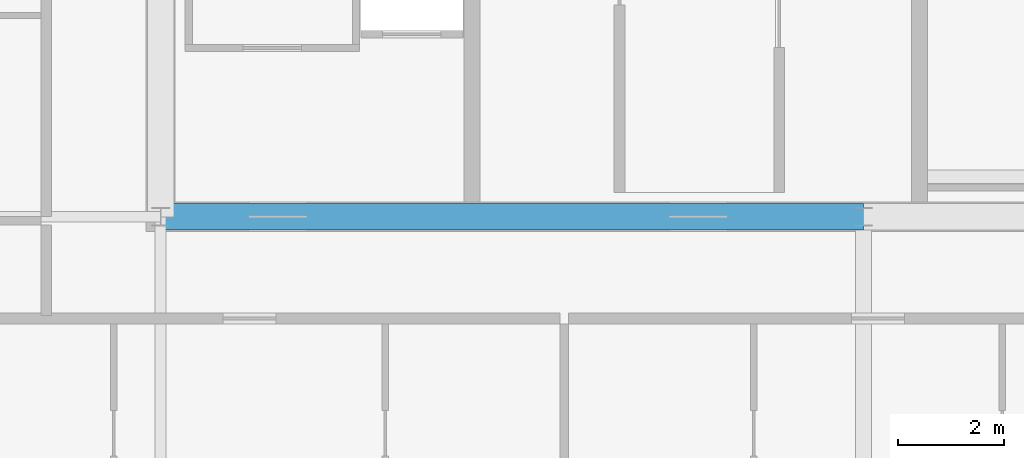
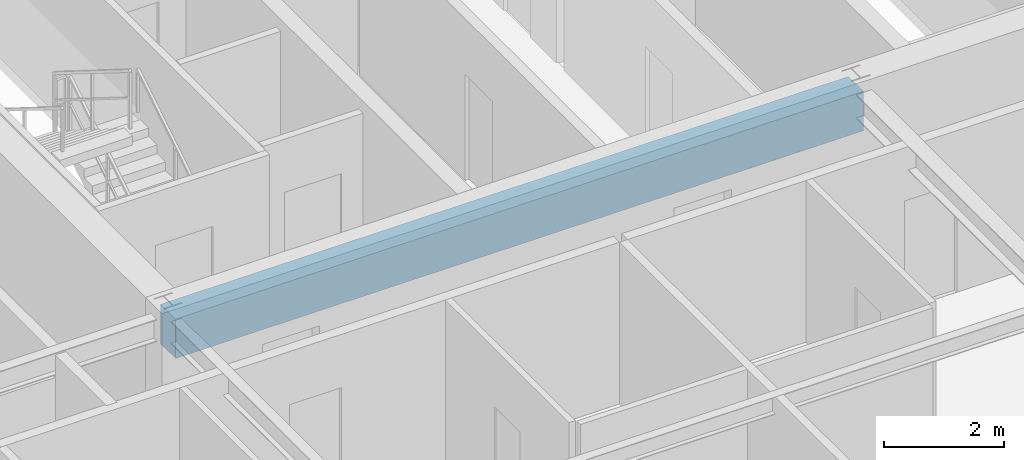
# One storey, part 9 of 37: 1 beam.
"""IFC4 building model written with IfcOpenShell, lengths in metres."""

from ifc_helpers import new_model, si_unit, direction, frame, origin, origin_2d, place, context, subcontext, project, spatial, rectangle, extrude, source, transform, mapped, material, material_profile, profile_set, type_object, element, save


model = new_model("IFC4")

# Units and contexts
model_context = context("Model", 3, precision=1e-05, world=origin(), true_north=direction((0.0, 1.0)))
body_context = subcontext(model_context, "Body", "Model", "MODEL_VIEW")
ifc_project = project(units=[si_unit("LENGTHUNIT", "METRE"), si_unit("AREAUNIT", "SQUARE_METRE"), si_unit("VOLUMEUNIT", "CUBIC_METRE"), si_unit("PLANEANGLEUNIT", "RADIAN"), si_unit("MASSUNIT", "GRAM", prefix="KILO"), si_unit("THERMODYNAMICTEMPERATUREUNIT", "KELVIN"), si_unit("POWERUNIT", "WATT")], contexts=[model_context])

# Site, building, storey
site_placement = place(None, origin())
site = spatial("IfcSite", under=ifc_project, at=site_placement, CompositionType="ELEMENT")
building_placement = place(site_placement, origin())
building = spatial("IfcBuilding", under=site, at=building_placement, Name="Yuzanri Waterfront Tower", CompositionType="ELEMENT")
storey_placement = place(building_placement, frame((0.0, 0.0, 268.10009765625)))
storey = spatial("IfcBuildingStorey", under=building, at=storey_placement, Name="L71", CompositionType="ELEMENT", Elevation=268.10009765625)

# Beam
ifc_material = material(Name="Concrete C50", Category="concrete")
ifc_material_profile = material_profile(ifc_material, rectangle(XDim=0.5, YDim=0.800048828125, at=origin_2d()), Name="RC 500x800")
ifc_profile_set = profile_set([ifc_material_profile], Name="Concrete C50")
beam_type = type_object("IfcBeamType", Name="Core Coupling Lintel Concrete C50 500x800", PredefinedType="LINTEL", material=ifc_profile_set)
shared_shape = source(origin(), body_context, "Body", "SweptSolid", [
    extrude(rectangle(XDim=0.5, YDim=0.800048828125, at=origin_2d()), origin(), (0.0, 0.0, 1.0), 13.199951171875),
])
beam_placement = place(storey_placement, frame((23.800048828125, 19.39990234375, 2.8798828125), z_axis=(1.0, 0.0, 0.0), x_axis=(0.0, 1.0, 0.0)))
element("IfcBeam", 1, at=beam_placement, inside=storey, type_object=beam_type, Name="L71 Core Tie Beam CS1", PredefinedType="LINTEL", context=body_context, shape_type="MappedRepresentation", body=[
    mapped(shared_shape, transform((0.0, 0.0, 0.0), scale=1.0)),
])

save(model, "model.ifc")
